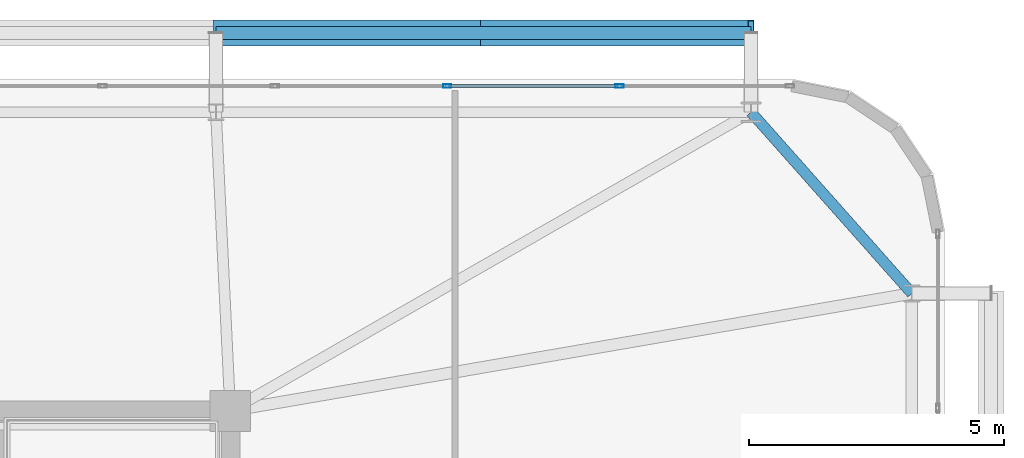
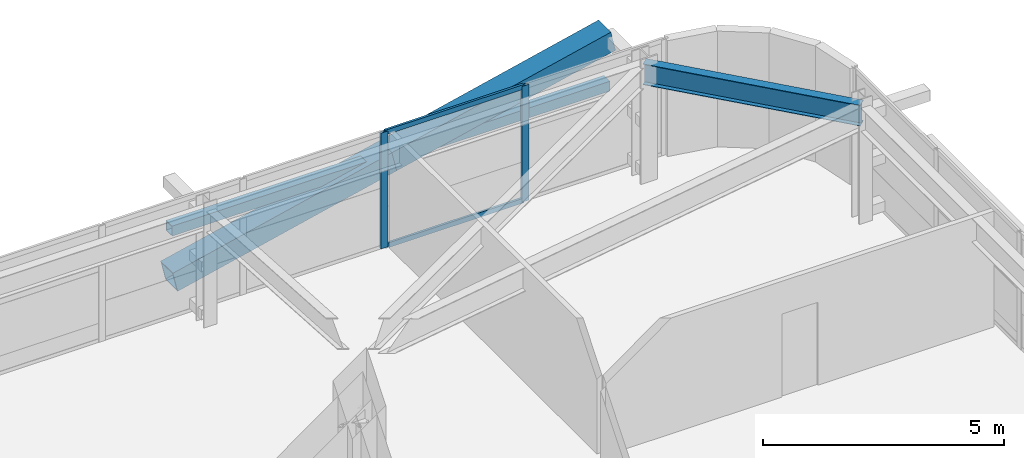
# One storey, part 40 of 59: 7 members, 1 beam, 1 element without a shape of its own.
"""IFC4 building model written with IfcOpenShell, lengths in metres."""

from ifc_helpers import new_model, si_unit, direction, frame, origin, origin_2d, place, context, subcontext, project, spatial, hollow_rectangle, i_section, extrude, source, transform, mapped, material, layer, layer_set, material_profile, profile_set, type_object, element, aggregate, save


model = new_model("IFC4")

# Units and contexts
model_context = context("Model", 3, precision=1e-05, world=origin(), true_north=direction((0.0, 1.0)))
body_context = subcontext(model_context, "Body", "Model", "MODEL_VIEW")
ifc_project = project(units=[si_unit("LENGTHUNIT", "METRE"), si_unit("AREAUNIT", "SQUARE_METRE"), si_unit("VOLUMEUNIT", "CUBIC_METRE"), si_unit("PLANEANGLEUNIT", "RADIAN"), si_unit("MASSUNIT", "GRAM", prefix="KILO")], contexts=[model_context])

# Site, building, storey
site_placement = place(None, origin())
site = spatial("IfcSite", under=ifc_project, at=site_placement, CompositionType="ELEMENT")
building_placement = place(site_placement, origin())
building = spatial("IfcBuilding", under=site, at=building_placement, Name="Taldren Reach Tower", CompositionType="ELEMENT")
storey_placement = place(building_placement, frame((0.0, 0.0, 48.300048828125)))
storey = spatial("IfcBuildingStorey", under=building, at=storey_placement, Name="L14", CompositionType="ELEMENT", Elevation=48.300048828125)

# Beam
ifc_material_1 = material(Name="Steel Gr 350 (350PLUS)", Category="steel")
ifc_material_profile_1 = material_profile(ifc_material_1, i_section(OverallWidth=0.208984375, OverallDepth=0.528076171875, WebThickness=0.009521484375, FlangeThickness=0.01318359375, at=origin_2d()), Name="530UB82.0")
ifc_profile_set_1 = profile_set([ifc_material_profile_1], Name="Steel Gr 350 (350PLUS)")
beam_type = type_object("IfcBeamType", Name="SP-UB530B", PredefinedType="SPANDREL", material=ifc_profile_set_1)
shared_shape_1 = source(origin(), body_context, "Body", "SweptSolid", [
    extrude(i_section(OverallWidth=0.208984375, OverallDepth=0.528076171875, WebThickness=0.009521484375, FlangeThickness=0.01318359375, at=origin_2d()), origin(), (0.0, 0.0, 1.0), 4.74609375),
])
beam_placement = place(storey_placement, frame((64.35009765625, 34.300048828125, 2.666015625), z_axis=(-0.663721843779, 0.747979487747, 0.0), x_axis=(-0.747979487747, -0.663721843779, 0.0)))
element("IfcBeam", 1, at=beam_placement, inside=storey, type_object=beam_type, Name="Perimeter spandrel B1 E3-N6 L14", PredefinedType="SPANDREL", context=body_context, shape_type="MappedRepresentation", body=[
    mapped(shared_shape_1, transform((0.0, 0.0, 0.0), scale=1.0)),
])

# Members
ifc_material_2 = material(Name="Steel Gr 450 (C450L0)", Category="steel")
ifc_material_profile_2 = material_profile(ifc_material_2, hollow_rectangle(XDim=0.510009765625, YDim=0.510009765625, WallThickness=0.02001953125, at=origin_2d()), Name="510x510x20.0SHS")
ifc_profile_set_2 = profile_set([ifc_material_profile_2], Name="Steel Gr 450 (C450L0)")
member_type_1 = type_object("IfcMemberType", Name="MB-EXO508", PredefinedType="BRACE", material=ifc_profile_set_2)
shared_shape_2 = source(origin(), body_context, "Body", "SweptSolid", [
    extrude(hollow_rectangle(XDim=0.510009765625, YDim=0.510009765625, WallThickness=0.02001953125, at=origin_2d()), origin(), (0.0, 0.0, 1.0), 5.37890625),
])
for number, where, z_axis, x_axis, name in (
    (2, (50.719970703125, 39.39990234375, 0.219970703125), (0.97415197996, 0.0, 0.225893603143), (0.0, 1.0, 0.0), "Exoskeleton Diagrid Brace B1-N5 L14"),
    (3, (55.9599609375, 39.39990234375, 1.43505859375), (0.974161966843, 0.0, 0.225850531007), (0.0, 1.0, 0.0), "Exoskeleton Diagrid Brace B1-N5 L14"),
):
    element("IfcMember", number, at=place(storey_placement, frame(where, z_axis=z_axis, x_axis=x_axis)), inside=storey, type_object=member_type_1, Name=name, PredefinedType="BRACE", context=body_context, shape_type="MappedRepresentation", body=[
        mapped(shared_shape_2, transform((0.0, 0.0, 0.0), scale=1.0)),
    ])
ifc_material_3 = material(Name="Steel Gr 350 (C350L0)", Category="steel")
ifc_material_profile_3 = material_profile(ifc_material_3, hollow_rectangle(XDim=0.25, YDim=0.25, WallThickness=0.010009765625, at=origin_2d()), Name="250x250x10.0SHS")
ifc_profile_set_3 = profile_set([ifc_material_profile_3], Name="Steel Gr 350 (C350L0)")
member_type_2 = type_object("IfcMemberType", Name="MB-POST250", PredefinedType="POST", material=ifc_profile_set_3)
shared_shape_3 = source(origin(), body_context, "Body", "SweptSolid", [
    extrude(hollow_rectangle(XDim=0.25, YDim=0.25, WallThickness=0.010009765625, at=origin_2d()), origin(), (0.0, 0.0, 1.0), 10.47998046875),
])
member_1_placement = place(storey_placement, frame((50.719970703125, 39.39990234375, 1.43505859375), z_axis=(1.0, 0.0, 0.0), x_axis=(0.0, 1.0, 0.0)))
element("IfcMember", 4, at=member_1_placement, inside=storey, type_object=member_type_2, Name="Exoskeleton mid-height ring chord B1-N5 L14", PredefinedType="POST", context=body_context, shape_type="MappedRepresentation", body=[
    mapped(shared_shape_3, transform((0.0, 0.0, 0.0), scale=1.0)),
])

# Curtain wall, members
ifc_material_4 = material(Name="Aluminium and Low-E Glass Unitised System", Category="aluminium")
ifc_layer = layer(ifc_material_4, 0.159912109375)
ifc_layer_set = layer_set([ifc_layer], Name="Aluminium and Low-E Glass Unitised System")
curtain_wall_type = type_object("IfcCurtainWallType", Name="CW-SYS-2", PredefinedType="NOTDEFINED", material=ifc_layer_set)
curtain_wall_placement = place(storey_placement, origin())
curtain_wall = element("IfcCurtainWall", 5, at=curtain_wall_placement, inside=storey, type_object=curtain_wall_type, Name="Unitised curtain wall CW-L14-N", PredefinedType="NOTDEFINED")
ifc_material_5 = material(Name="Anodised Aluminium 6063-T6", Category="aluminium")
ifc_material_profile_4 = material_profile(ifc_material_5, hollow_rectangle(XDim=0.06494140625, YDim=0.1650390625, WallThickness=0.00390625, at=origin_2d()), Name="ALU-165x65x4RHS")
ifc_profile_set_4 = profile_set([ifc_material_profile_4], Name="Anodised Aluminium 6063-T6")
member_type_3 = type_object("IfcMemberType", Name="CW-MUL-165", PredefinedType="MULLION", material=ifc_profile_set_4)
shared_shape_4 = source(origin(), body_context, "Body", "SweptSolid", [
    extrude(hollow_rectangle(XDim=0.06494140625, YDim=0.1650390625, WallThickness=0.00390625, at=origin_2d()), origin(), (0.0, 0.0, 1.0), 2.929931640625),
])
member_2_placement = place(storey_placement, frame((58.625, 38.360107421875, 0.0), z_axis=(0.0, 0.0, 1.0), x_axis=(0.0, -1.0, 0.0)))
member_2 = element("IfcMember", 6, at=member_2_placement, type_object=member_type_3, Name="CW-2 mullion 2", PredefinedType="MULLION", context=body_context, shape_type="MappedRepresentation", body=[
    mapped(shared_shape_4, transform((0.0, 0.0, 0.0), scale=1.0)),
])
member_3_placement = place(storey_placement, frame((55.25, 38.360107421875, 0.0), z_axis=(0.0, 0.0, 1.0), x_axis=(0.0, -1.0, 0.0)))
member_3 = element("IfcMember", 7, at=member_3_placement, type_object=member_type_3, Name="CW-2 mullion 3", PredefinedType="MULLION", context=body_context, shape_type="MappedRepresentation", body=[
    mapped(shared_shape_4, transform((0.0, 0.0, 0.0), scale=1.0)),
])
ifc_material_profile_5 = material_profile(ifc_material_5, hollow_rectangle(XDim=0.054931640625, YDim=0.1201171875, WallThickness=0.0029296875, at=origin_2d()), Name="ALU-120x55x3RHS")
ifc_profile_set_5 = profile_set([ifc_material_profile_5], Name="Anodised Aluminium 6063-T6")
member_type_4 = type_object("IfcMemberType", Name="CW-TRN-135", PredefinedType="USERDEFINED", material=ifc_profile_set_5)
shared_shape_5 = source(origin(), body_context, "Body", "SweptSolid", [
    extrude(hollow_rectangle(XDim=0.054931640625, YDim=0.1201171875, WallThickness=0.0029296875, at=origin_2d()), origin(), (0.0, 0.0, 1.0), 3.31005859375),
])
member_4_placement = place(storey_placement, frame((58.592529296875, 38.360107421875, 0.02734375), z_axis=(-1.0, 0.0, 0.0), x_axis=(0.0, -1.0, 0.0)))
member_4 = element("IfcMember", 8, at=member_4_placement, type_object=member_type_4, Name="CW-2 transom 2.1", ObjectType="TRANSOM", PredefinedType="USERDEFINED", context=body_context, shape_type="MappedRepresentation", body=[
    mapped(shared_shape_5, transform((0.0, 0.0, 0.0), scale=1.0)),
])
member_5_placement = place(storey_placement, frame((58.592529296875, 38.360107421875, 2.90234375), z_axis=(-1.0, 0.0, 0.0), x_axis=(0.0, -1.0, 0.0)))
member_5 = element("IfcMember", 9, at=member_5_placement, type_object=member_type_4, Name="CW-2 transom 2.2", ObjectType="TRANSOM", PredefinedType="USERDEFINED", context=body_context, shape_type="MappedRepresentation", body=[
    mapped(shared_shape_5, transform((0.0, 0.0, 0.0), scale=1.0)),
])
aggregate(curtain_wall, [member_2, member_3, member_4, member_5])

save(model, "model.ifc")
